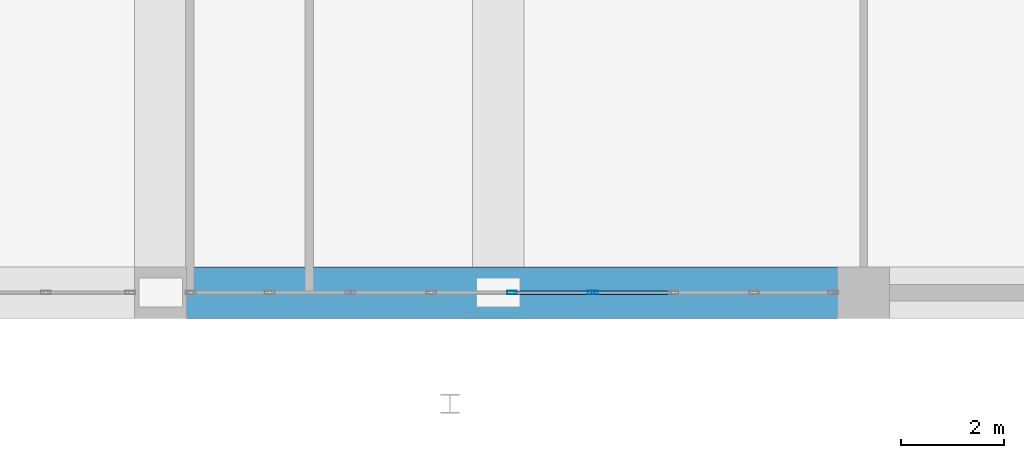
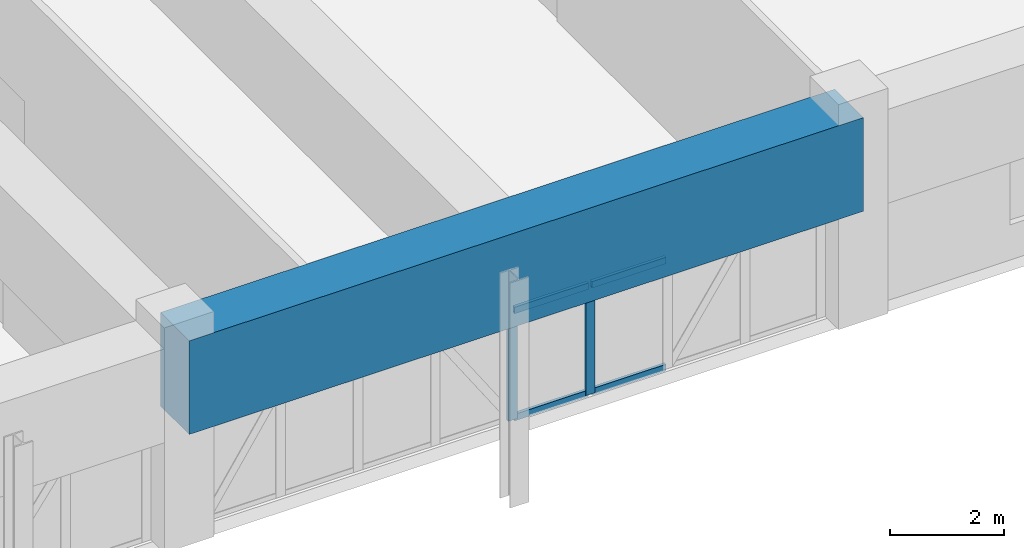
# One storey, part 10 of 44: 6 members, 1 beam, 1 element without a shape of its own.
"""IFC4 building model written with IfcOpenShell, lengths in metres."""

from ifc_helpers import new_model, si_unit, derived_unit, direction, frame, origin, origin_2d, place, context, subcontext, project, spatial, rectangle, hollow_rectangle, extrude, source, transform, mapped, material, layer, layer_set, material_profile, profile_set, type_object, element, aggregate, save


model = new_model("IFC4")

# Units and contexts
model_context = context("Model", 3, precision=1e-05, world=origin(), true_north=direction((0.0, 1.0)))
body_context = subcontext(model_context, "Body", "Model", "MODEL_VIEW")
ifc_project = project(units=[si_unit("LENGTHUNIT", "METRE"), si_unit("AREAUNIT", "SQUARE_METRE"), si_unit("VOLUMEUNIT", "CUBIC_METRE"), si_unit("PLANEANGLEUNIT", "RADIAN"), si_unit("MASSUNIT", "GRAM", prefix="KILO"), derived_unit("THERMALTRANSMITTANCEUNIT", [(si_unit("POWERUNIT", "WATT"), 1), (si_unit("LENGTHUNIT", "METRE"), -2), (si_unit("THERMODYNAMICTEMPERATUREUNIT", "KELVIN"), -1)])], contexts=[model_context])

# Site, building, storey
site_placement = place(None, origin())
site = spatial("IfcSite", under=ifc_project, at=site_placement, CompositionType="ELEMENT")
building_placement = place(site_placement, origin())
building = spatial("IfcBuilding", under=site, at=building_placement, Name="Korsvarv Bourse and Concert Hall", CompositionType="ELEMENT")
storey_placement = place(building_placement, frame((0.0, 0.0, 9.60009765625)))
storey = spatial("IfcBuildingStorey", under=building, at=storey_placement, Name="L02", CompositionType="ELEMENT", Elevation=9.60009765625)

# Beam
ifc_material_1 = material(Name="Concrete C60/75", Category="concrete")
ifc_material_profile_1 = material_profile(ifc_material_1, rectangle(XDim=1.0, YDim=2.0, at=origin_2d()), Name="RC-BM 1000x2000")
ifc_profile_set_1 = profile_set([ifc_material_profile_1], Name="Concrete C60/75")
beam_type = type_object("IfcBeamType", Name="BM-TR1", PredefinedType="BEAM", material=ifc_profile_set_1)
shared_shape_1 = source(origin(), body_context, "Body", "SweptSolid", [
    extrude(rectangle(XDim=1.0, YDim=2.0, at=origin_2d()), origin(), (0.0, 0.0, 1.0), 13.60009765625),
])
beam_placement = place(storey_placement, frame((44.39990234375, 3.0, 3.349853515625), z_axis=(1.0, 0.0, 0.0), x_axis=(0.0, 1.0, 0.0)))
element("IfcBeam", 1, at=beam_placement, inside=storey, type_object=beam_type, Name="L02 beam B-TR1", PredefinedType="BEAM", context=body_context, shape_type="MappedRepresentation", body=[
    mapped(shared_shape_1, transform((0.0, 0.0, 0.0), scale=1.0)),
])

# Curtain wall, members
ifc_material_2 = material(Name="Anodised aluminium and triple low-E glazing", Category="glass")
ifc_layer = layer(ifc_material_2, 0.239990234375)
ifc_layer_set = layer_set([ifc_layer], Name="Anodised aluminium and triple low-E glazing")
curtain_wall_type = type_object("IfcCurtainWallType", Name="CW-SYS-5", PredefinedType="NOTDEFINED", material=ifc_layer_set)
curtain_wall_placement = place(storey_placement, origin())
curtain_wall = element("IfcCurtainWall", 2, at=curtain_wall_placement, inside=storey, type_object=curtain_wall_type, Name="L02 CW5 curtain wall CW-L02-S5", PredefinedType="NOTDEFINED")
ifc_material_3 = material(Name="Extruded aluminium EN AW-6063 T66", Category="aluminium")
ifc_material_profile_2 = material_profile(ifc_material_3, hollow_rectangle(XDim=0.070068359375, YDim=0.18994140625, WallThickness=0.0048828125, at=origin_2d()), Name="ALU-M 70x190")
ifc_profile_set_2 = profile_set([ifc_material_profile_2], Name="Extruded aluminium EN AW-6063 T66")
member_type_1 = type_object("IfcMemberType", Name="CWM-190", PredefinedType="MULLION", material=ifc_profile_set_2)
shared_shape_2 = source(origin(), body_context, "Body", "SweptSolid", [
    extrude(hollow_rectangle(XDim=0.070068359375, YDim=0.18994140625, WallThickness=0.0048828125, at=origin_2d()), origin(), (0.0, 0.0, 1.0), 2.349853515625),
])
member_1_placement = place(storey_placement, frame((51.199951171875, 3.0, 0.0), z_axis=(0.0, 0.0, 1.0), x_axis=(0.0, 1.0, 0.0)))
member_1 = element("IfcMember", 3, at=member_1_placement, type_object=member_type_1, Name="CW5 mullion 5", PredefinedType="MULLION", context=body_context, shape_type="MappedRepresentation", body=[
    mapped(shared_shape_2, transform((0.0, 0.0, 0.0), scale=1.0)),
])
member_2_placement = place(storey_placement, frame((52.762451171875, 3.0, 0.0), z_axis=(0.0, 0.0, 1.0), x_axis=(0.0, 1.0, 0.0)))
member_2 = element("IfcMember", 4, at=member_2_placement, type_object=member_type_1, Name="CW5 mullion 6", PredefinedType="MULLION", context=body_context, shape_type="MappedRepresentation", body=[
    mapped(shared_shape_2, transform((0.0, 0.0, 0.0), scale=1.0)),
])
ifc_material_profile_3 = material_profile(ifc_material_3, hollow_rectangle(XDim=0.06494140625, YDim=0.139892578125, WallThickness=0.00390625, at=origin_2d()), Name="ALU-T 65x140")
ifc_profile_set_3 = profile_set([ifc_material_profile_3], Name="Extruded aluminium EN AW-6063 T66")
member_type_2 = type_object("IfcMemberType", Name="CWT-140", PredefinedType="USERDEFINED", material=ifc_profile_set_3)
shared_shape_3 = source(origin(), body_context, "Body", "SweptSolid", [
    extrude(hollow_rectangle(XDim=0.06494140625, YDim=0.139892578125, WallThickness=0.00390625, at=origin_2d()), origin(), (0.0, 0.0, 1.0), 1.492431640625),
])
member_3_placement = place(storey_placement, frame((51.235107421875, 3.0, 0.032470703125), z_axis=(1.0, 0.0, 0.0), x_axis=(0.0, 1.0, 0.0)))
member_3 = element("IfcMember", 5, at=member_3_placement, type_object=member_type_2, Name="CW5 transom 5.1", ObjectType="TRANSOM", PredefinedType="USERDEFINED", context=body_context, shape_type="MappedRepresentation", body=[
    mapped(shared_shape_3, transform((0.0, 0.0, 0.0), scale=1.0)),
])
member_4_placement = place(storey_placement, frame((51.235107421875, 3.0, 2.3173828125), z_axis=(1.0, 0.0, 0.0), x_axis=(0.0, 1.0, 0.0)))
member_4 = element("IfcMember", 6, at=member_4_placement, type_object=member_type_2, Name="CW5 transom 5.2", ObjectType="TRANSOM", PredefinedType="USERDEFINED", context=body_context, shape_type="MappedRepresentation", body=[
    mapped(shared_shape_3, transform((0.0, 0.0, 0.0), scale=1.0)),
])
member_5_placement = place(storey_placement, frame((52.797607421875, 3.0, 0.032470703125), z_axis=(1.0, 0.0, 0.0), x_axis=(0.0, 1.0, 0.0)))
member_5 = element("IfcMember", 7, at=member_5_placement, type_object=member_type_2, Name="CW5 transom 6.1", ObjectType="TRANSOM", PredefinedType="USERDEFINED", context=body_context, shape_type="MappedRepresentation", body=[
    mapped(shared_shape_3, transform((0.0, 0.0, 0.0), scale=1.0)),
])
member_6_placement = place(storey_placement, frame((52.797607421875, 3.0, 2.3173828125), z_axis=(1.0, 0.0, 0.0), x_axis=(0.0, 1.0, 0.0)))
member_6 = element("IfcMember", 8, at=member_6_placement, type_object=member_type_2, Name="CW5 transom 6.2", ObjectType="TRANSOM", PredefinedType="USERDEFINED", context=body_context, shape_type="MappedRepresentation", body=[
    mapped(shared_shape_3, transform((0.0, 0.0, 0.0), scale=1.0)),
])
aggregate(curtain_wall, [member_1, member_2, member_3, member_4, member_5, member_6])

save(model, "model.ifc")
